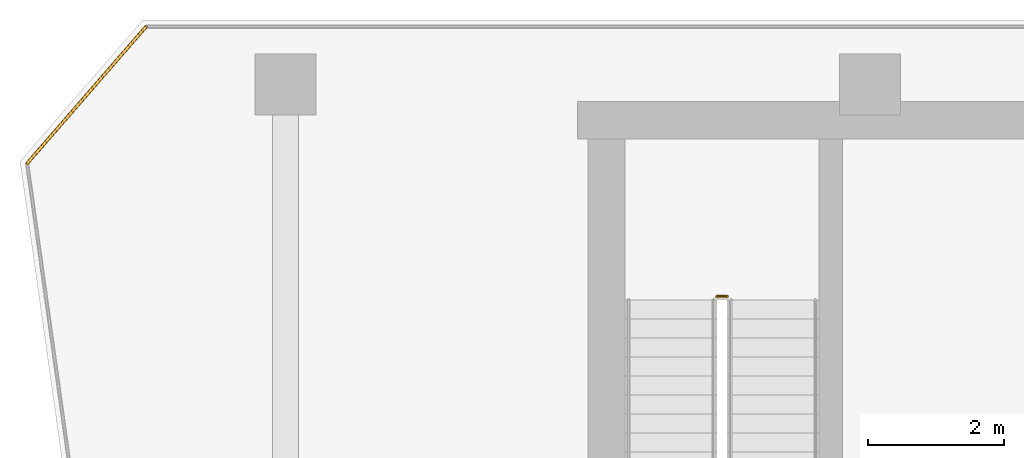
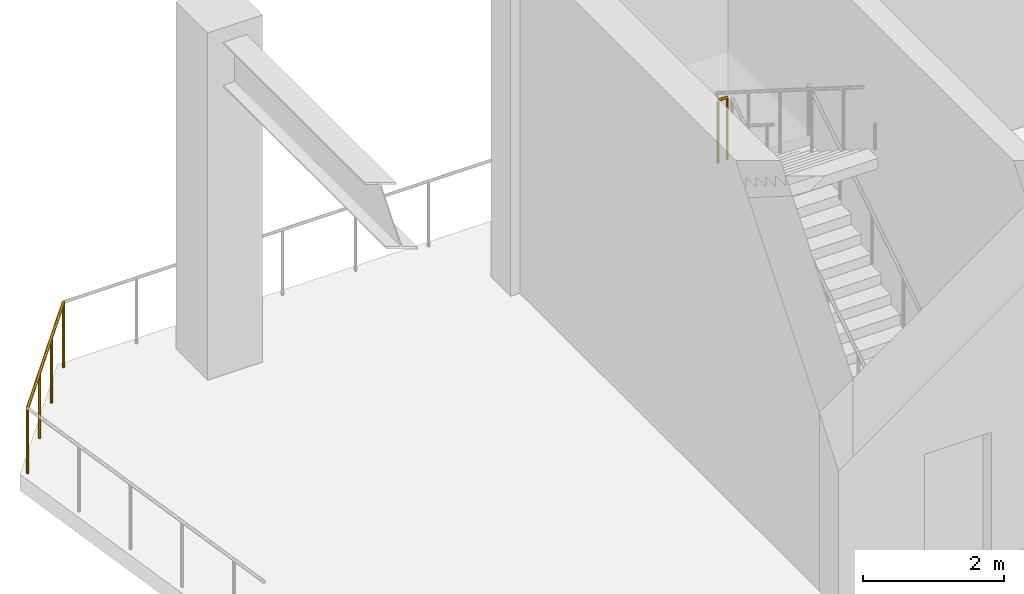
# One storey, part 10 of 12: 2 railings.
"""IFC4 building model written with IfcOpenShell, lengths in metres."""

import ifcopenshell
import ifcopenshell.guid

model = None  # the IFC model being written
_history = None  # IfcOwnerHistory: only IFC2X3 demands one
_inside = {}  # id of a spatial element -> (the spatial element, [elements in it])
_under = {}  # id of a project, library or spatial element -> (it, [spatial elements below it])
_declared = {}  # id of a project -> (the project, [libraries it declares])
_typed = {}  # id of a type object -> (the type object, [elements of that type])
_made_of = {}  # id of a material, layer set ... -> (it, [elements and type objects made of it])


def new_model(schema):
    """Start an empty IFC model of exactly this schema.

    Asked for "IFC4X3", IfcOpenShell would pick the latest addendum, in which some entities
    have other attributes; the version numbers below select the first issue.
    IFC2X3 requires an IfcOwnerHistory on every rooted entity: one is made here for all.
    """
    global model, _history
    if schema == "IFC4X3":
        model = ifcopenshell.file(schema_version=(4, 3, 0, 0))
    else:
        model = ifcopenshell.file(schema=schema)
    _inside.clear()
    _under.clear()
    _declared.clear()
    _typed.clear()
    _made_of.clear()
    _history = None
    if model.schema == "IFC2X3":
        org = make("IfcOrganization", Name="unknown")
        user = make(
            "IfcPersonAndOrganization",
            ThePerson=make("IfcPerson", FamilyName="unknown"),
            TheOrganization=org,
        )
        app = make(
            "IfcApplication",
            ApplicationDeveloper=org,
            Version="unknown",
            ApplicationFullName="unknown",
            ApplicationIdentifier="unknown",
        )
        _history = make(
            "IfcOwnerHistory",
            OwningUser=user,
            OwningApplication=app,
            ChangeAction="ADDED",
            CreationDate=0,
        )
    return model


def make(cls, **values):
    """One entity of the class cls with the attributes given. An attribute that is None is left unset."""
    return model.create_entity(
        cls, **{name: value for name, value in values.items() if value is not None}
    )


def rooted(cls, **values):
    """An entity with a GlobalId (a new one), such as an element, a storey or a relation."""
    return make(cls, GlobalId=ifcopenshell.guid.new(), OwnerHistory=_history, **values)


def si_unit(unit_type, name, prefix=None):
    """IfcSIUnit, for example si_unit("LENGTHUNIT", "METRE", prefix="MILLI")."""
    return make("IfcSIUnit", UnitType=unit_type, Prefix=prefix, Name=name)


def assignment(units):
    """IfcUnitAssignment: the units of a project."""
    return None if units is None else make("IfcUnitAssignment", Units=units)


def point(xyz):
    """IfcCartesianPoint."""
    return None if xyz is None else make("IfcCartesianPoint", Coordinates=xyz)


def direction(xyz):
    """IfcDirection."""
    return None if xyz is None else make("IfcDirection", DirectionRatios=xyz)


def frame(location, z_axis=None, x_axis=None):
    """IfcAxis2Placement3D, a coordinate frame: its origin and axes. An axis left out is left unset."""
    return make(
        "IfcAxis2Placement3D",
        Location=point(location),
        Axis=direction(z_axis),
        RefDirection=direction(x_axis),
    )


def frame_2d(location, x_axis=None):
    """IfcAxis2Placement2D, a coordinate frame in the plane: its origin and x axis."""
    return make(
        "IfcAxis2Placement2D", Location=point(location), RefDirection=direction(x_axis)
    )


def origin():
    """The frame at (0, 0, 0) with its axes left unset."""
    return frame((0.0, 0.0, 0.0))


def origin_2d():
    """The frame at (0, 0) in the plane with its x axis left unset."""
    return frame_2d((0.0, 0.0))


def place(relative_to, where):
    """IfcLocalPlacement: puts the frame where relative to a parent placement (None: the world)."""
    return make(
        "IfcLocalPlacement", PlacementRelTo=relative_to, RelativePlacement=where
    )


def context(
    kind, dimensions, precision=None, world=None, true_north=None, identifier=None
):
    """IfcGeometricRepresentationContext, for example the 3D "Model" context."""
    return make(
        "IfcGeometricRepresentationContext",
        ContextIdentifier=identifier,
        ContextType=kind,
        CoordinateSpaceDimension=dimensions,
        Precision=precision,
        WorldCoordinateSystem=world,
        TrueNorth=true_north,
    )


def subcontext(parent, identifier, kind, view, scale=None):
    """IfcGeometricRepresentationSubContext, for example "Body" below "Model"."""
    return make(
        "IfcGeometricRepresentationSubContext",
        ContextIdentifier=identifier,
        ContextType=kind,
        ParentContext=parent,
        TargetScale=scale,
        TargetView=view,
    )


def project(units=None, contexts=None):
    """IfcProject with its units and contexts."""
    return rooted(
        "IfcProject",
        Name="project",
        RepresentationContexts=contexts,
        UnitsInContext=assignment(units),
    )


def spatial(cls, under=None, at=None, **own):
    """A site, building, storey or space (cls), placed at a placement, below another one or the project."""
    s = rooted(cls, ObjectPlacement=at, **own)
    if under is not None:
        _under.setdefault(under.id(), (under, []))[1].append(s)
    return s


def profile(cls, at=None, kind="AREA", **sizes):
    """A parametric profile (cls). Its sizes go by their IFC names, for example OverallWidth=200.0."""
    return make(cls, ProfileType=kind, Position=at, **sizes)


def circle(**sizes):
    """IfcCircleProfileDef."""
    return profile("IfcCircleProfileDef", **sizes)


def extrude(swept, where, along, depth):
    """IfcExtrudedAreaSolid: the profile swept, set in the frame where, extruded along a direction by depth."""
    return make(
        "IfcExtrudedAreaSolid",
        SweptArea=swept,
        Position=where,
        ExtrudedDirection=direction(along),
        Depth=depth,
    )


def shape(context_of_items, identifier, shape_type, items):
    """IfcShapeRepresentation: the items that make up one representation, for example the "Body"."""
    return make(
        "IfcShapeRepresentation",
        ContextOfItems=context_of_items,
        RepresentationIdentifier=identifier,
        RepresentationType=shape_type,
        Items=items,
    )


def material(Name=None, Category=None):
    """IfcMaterial."""
    return make("IfcMaterial", Name=Name, Category=Category)


def layer(
    of_material, thickness, ventilated=None, Name=None, Category=None, Priority=None
):
    """IfcMaterialLayer: one layer of a wall or slab, of a material (None: an air gap)."""
    return make(
        "IfcMaterialLayer",
        Material=of_material,
        LayerThickness=thickness,
        IsVentilated=ventilated,
        Name=Name,
        Category=Category,
        Priority=Priority,
    )


def layer_set(layers, Name=None):
    """IfcMaterialLayerSet."""
    return make("IfcMaterialLayerSet", MaterialLayers=layers, LayerSetName=Name)


def made_of(thing, what):
    """Note that an element or type object is made of a material, layer set ...; save() writes the relation."""
    if what is not None:
        _made_of.setdefault(what.id(), (what, []))[1].append(thing)
    return thing


def type_object(cls, material=None, **own):
    """A type object (cls), such as IfcWallType, which elements share."""
    return made_of(rooted(cls, **own), material)


def element(
    cls,
    number,
    at=None,
    inside=None,
    cuts=None,
    type_object=None,
    material=None,
    context=None,
    identifier="Body",
    shape_type=None,
    held_by="IfcProductDefinitionShape",
    body=None,
    shapes=None,
    **own,
):
    """One element of the class cls, such as IfcWall. Its Tag is "e" and its number.

    at: its placement. inside: the storey or other place that contains it. cuts: it is an
    opening in that element (IfcRelVoidsElement). A single representation is given by context,
    identifier, shape_type and body (its items); several are given by shapes. held_by: the class
    of the entity that holds the representations. save() writes the other relations.
    """
    e = rooted(cls, Tag="e%d" % number, ObjectPlacement=at, **own)
    if body is not None:
        shapes = [shape(context, identifier, shape_type, body)]
    if shapes is not None:
        e.Representation = make(held_by, Representations=shapes)
    if inside is not None:
        _inside.setdefault(inside.id(), (inside, []))[1].append(e)
    if cuts is not None:
        rooted(
            "IfcRelVoidsElement", RelatingBuildingElement=cuts, RelatedOpeningElement=e
        )
    if type_object is not None:
        _typed.setdefault(type_object.id(), (type_object, []))[1].append(e)
    return made_of(e, material)


def aggregate(whole, parts):
    """IfcRelAggregates: a whole, such as a stair, and the parts it consists of."""
    return rooted("IfcRelAggregates", RelatingObject=whole, RelatedObjects=parts)


def save(model, path):
    """Write the relations noted so far, then the file.

    IfcRelAggregates (storeys below a building ...), IfcRelContainedInSpatialStructure (elements
    in a storey), IfcRelDefinesByType, IfcRelAssociatesMaterial and IfcRelDeclares: one each for
    every whole, place, type object, material and project.
    """
    for whole, parts in _under.values():
        aggregate(whole, parts)
    for where, things in _inside.values():
        rooted(
            "IfcRelContainedInSpatialStructure",
            RelatedElements=things,
            RelatingStructure=where,
        )
    for kind, things in _typed.values():
        rooted("IfcRelDefinesByType", RelatedObjects=things, RelatingType=kind)
    for what, things in _made_of.values():
        rooted("IfcRelAssociatesMaterial", RelatedObjects=things, RelatingMaterial=what)
    for by, libraries in _declared.values():
        rooted("IfcRelDeclares", RelatingContext=by, RelatedDefinitions=libraries)
    model.write(path)


model = new_model("IFC4")

# Units and contexts
model_context = context("Model", 3, precision=1e-05, world=origin(), true_north=direction((0.0, 1.0)))
body_context = subcontext(model_context, "Body", "Model", "MODEL_VIEW")
ifc_project = project(units=[si_unit("LENGTHUNIT", "METRE"), si_unit("AREAUNIT", "SQUARE_METRE"), si_unit("VOLUMEUNIT", "CUBIC_METRE"), si_unit("PLANEANGLEUNIT", "RADIAN"), si_unit("MASSUNIT", "GRAM", prefix="KILO")], contexts=[model_context])

# Site, building, storey
site_placement = place(None, origin())
site = spatial("IfcSite", under=ifc_project, at=site_placement, CompositionType="ELEMENT")
building_placement = place(site_placement, origin())
building = spatial("IfcBuilding", under=site, at=building_placement, Name="Kravanh Interchange Tower", CompositionType="ELEMENT")
storey_placement = place(building_placement, frame((0.0, 0.0, 225.0)))
storey = spatial("IfcBuildingStorey", under=building, at=storey_placement, Name="L54", CompositionType="ELEMENT", Elevation=225.0)

# Railings
ifc_material_1 = material(Name="Structural Steel S355", Category="steel")
ifc_layer_1 = layer(ifc_material_1, 0.050048828125)
ifc_layer_set_1 = layer_set([ifc_layer_1], Name="Stair Well Guardrail Structural Steel S355 1100mm")
railing_type_1 = type_object("IfcRailingType", Name="Stair Well Guardrail Structural Steel S355 1100mm", PredefinedType="GUARDRAIL", material=ifc_layer_set_1)
railing_1_placement = place(storey_placement, frame((25.10009765625, 44.429931640625, 3.0)))
element("IfcRailing", 1, at=railing_1_placement, inside=storey, type_object=railing_type_1, Name="L54 ST3 stair guard 2", PredefinedType="GUARDRAIL", context=body_context, shape_type="SweptSolid", body=[
    extrude(circle(Radius=0.02392578125, at=origin_2d()), frame((0.0, 0.0, 1.076171875), z_axis=(-1.0, 0.0, 0.0), x_axis=(0.0, -1.0, 0.0)), (0.0, 0.0, 1.0), 0.150146484375),
    extrude(circle(Radius=0.02099609375, at=origin_2d()), origin(), (0.0, 0.0, 1.0), 1.052001953125),
    extrude(circle(Radius=0.02099609375, at=origin_2d()), frame((-0.150146484375, 0.0, 0.0)), (0.0, 0.0, 1.0), 1.052001953125),
])
ifc_material_2 = material(Name="Structural Steel S355", Category="steel")
ifc_layer_2 = layer(ifc_material_2, 0.070068359375)
ifc_layer_set_2 = layer_set([ifc_layer_2], Name="Wind Storey Perimeter Safety Guardrail Structural Steel S355 1150mm")
railing_type_2 = type_object("IfcRailingType", Name="Wind Storey Perimeter Safety Guardrail Structural Steel S355 1150mm", PredefinedType="GUARDRAIL", material=ifc_layer_set_2)
railing_2_placement = place(storey_placement, frame((14.797607421875, 46.38916015625, 0.0)))
element("IfcRailing", 2, at=railing_2_placement, inside=storey, type_object=railing_type_2, Name="L54 Open Wind Floor Perimeter Guardrail 2", PredefinedType="GUARDRAIL", context=body_context, shape_type="SweptSolid", body=[
    extrude(circle(Radius=0.02392578125, at=origin_2d()), frame((0.0, 0.0, 1.1259765625), z_axis=(0.656087965502, 0.754684425123, 0.0), x_axis=(-0.754684425123, 0.656087965502, 0.0)), (0.0, 0.0, 1.0), 2.664306640625),
    extrude(circle(Radius=0.02099609375, at=origin_2d()), origin(), (0.0, 0.0, 1.0), 1.101806640625),
    extrude(circle(Radius=0.02099609375, at=origin_2d()), frame((0.582763671875, 0.670166015625, 0.0)), (0.0, 0.0, 1.0), 1.101806640625),
    extrude(circle(Radius=0.02099609375, at=origin_2d()), frame((1.165283203125, 1.340576171875, 0.0)), (0.0, 0.0, 1.0), 1.101806640625),
    extrude(circle(Radius=0.02099609375, at=origin_2d()), frame((1.748046875, 2.0107421875, 0.0)), (0.0, 0.0, 1.0), 1.101806640625),
])

save(model, "model.ifc")
